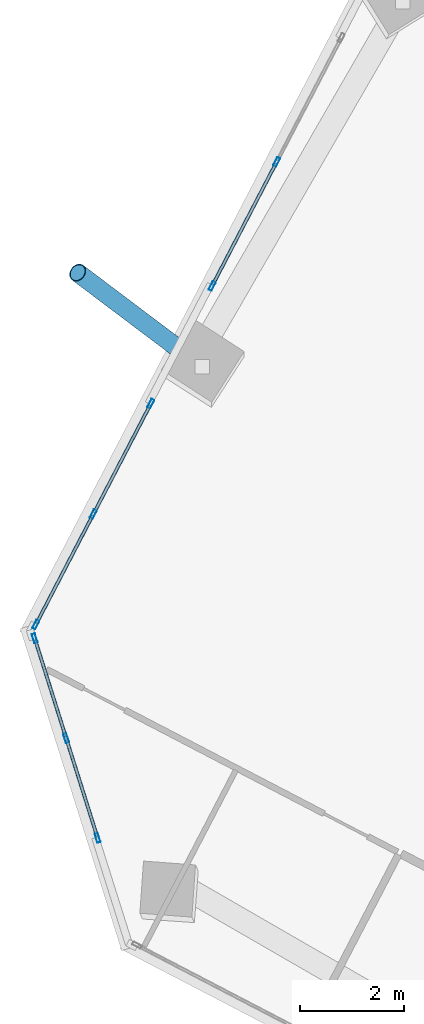
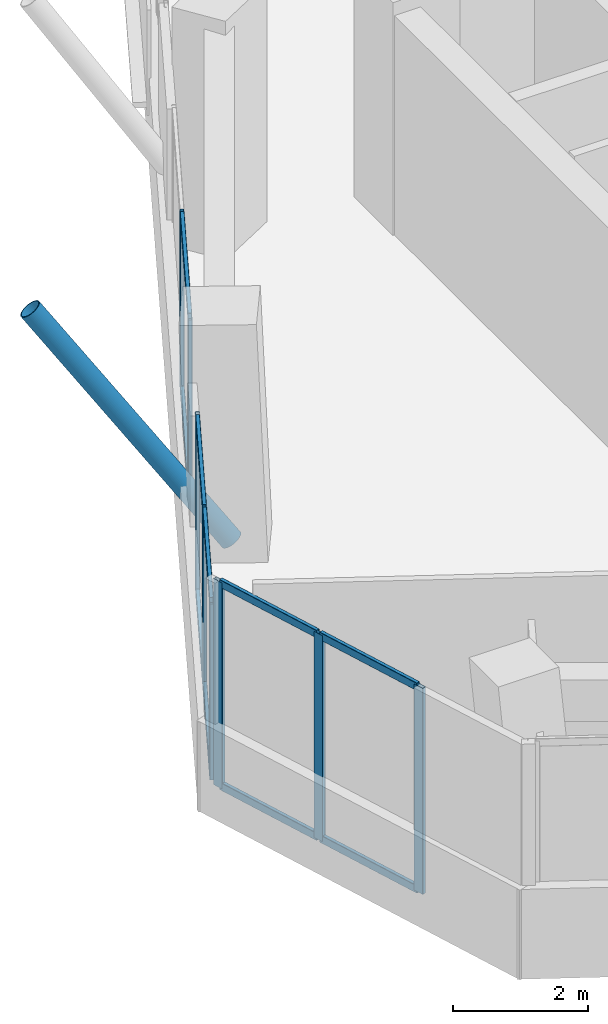
# One storey, part 5 of 22: 19 members, 3 elements without a shape of their own.
"""IFC4 building model written with IfcOpenShell, lengths in metres."""

from ifc_helpers import new_model, si_unit, direction, frame, origin, origin_2d, place, context, subcontext, project, spatial, hollow_rectangle, hollow_circle, extrude, source, transform, mapped, material, material_profile, profile_set, type_object, element, aggregate, save


model = new_model("IFC4")

# Units and contexts
model_context = context("Model", 3, precision=1e-05, world=origin(), true_north=direction((0.0, 1.0)))
body_context = subcontext(model_context, "Body", "Model", "MODEL_VIEW")
ifc_project = project(units=[si_unit("LENGTHUNIT", "METRE"), si_unit("AREAUNIT", "SQUARE_METRE"), si_unit("VOLUMEUNIT", "CUBIC_METRE"), si_unit("PLANEANGLEUNIT", "RADIAN"), si_unit("MASSUNIT", "GRAM", prefix="KILO")], contexts=[model_context])

# Site, building, storey
site_placement = place(None, origin())
site = spatial("IfcSite", under=ifc_project, at=site_placement, CompositionType="ELEMENT")
building_placement = place(site_placement, origin())
building = spatial("IfcBuilding", under=site, at=building_placement, Name="Torre Montelarca", CompositionType="ELEMENT")
storey_placement = place(building_placement, frame((0.0, 0.0, 175.0)))
storey = spatial("IfcBuildingStorey", under=building, at=storey_placement, Name="L39", CompositionType="ELEMENT", Elevation=175.0)

# Member
ifc_material_1 = material(Name="Steel ASTM A500 Grade C", Category="steel")
ifc_material_profile_1 = material_profile(ifc_material_1, hollow_circle(Radius=0.177734375, WallThickness=0.015869140625, at=origin_2d()), Name="HSS355.6X15.9", Category="steel")
ifc_profile_set_1 = profile_set([ifc_material_profile_1], Name="Steel ASTM A500 Grade C")
member_type_1 = type_object("IfcMemberType", Name="MB-BR-CHS356-EXT", PredefinedType="BRACE", material=ifc_profile_set_1)
shared_shape_1 = source(origin(), body_context, "Body", "SweptSolid", [
    extrude(hollow_circle(Radius=0.177734375, WallThickness=0.015869140625, at=origin_2d()), origin(), (0.0, 0.0, 1.0), 4.928955078125),
])
member_1_placement = place(storey_placement, frame((2.879150390625, 33.0908203125, 0.14990234375), z_axis=(-0.486213709602, 0.366393929291, 0.793316908413), x_axis=(-0.601820910097, -0.798631073882, 0.0)))
element("IfcMember", 1, at=member_1_placement, inside=storey, type_object=member_type_1, Name="L40 Sliding Tray Exterior Diagonal Raker Strut W1", PredefinedType="BRACE", context=body_context, shape_type="MappedRepresentation", body=[
    mapped(shared_shape_1, transform((0.0, 0.0, 0.0), scale=1.0)),
])

# Curtain wall, members
ifc_material_2 = material(Name="Insulated low-E laminated glass", Category="glass")
curtain_wall_type = type_object("IfcCurtainWallType", Name="CW-SYS-Z2", PredefinedType="USERDEFINED", material=ifc_material_2)
curtain_wall_1_placement = place(storey_placement, origin())
curtain_wall_1 = element("IfcCurtainWall", 2, at=curtain_wall_1_placement, inside=storey, type_object=curtain_wall_type, Name="L39 Curtain Wall Run CW-T3-L39-E11-B1", ObjectType="UNITISED GLAZING", PredefinedType="USERDEFINED")
ifc_material_3 = material(Name="Anodised aluminium AA 6063-T6", Category="aluminium")
ifc_material_profile_2 = material_profile(ifc_material_3, hollow_rectangle(XDim=0.06494140625, YDim=0.179931640625, WallThickness=0.00390625, InnerFilletRadius=0.00390625, OuterFilletRadius=0.008056640625, at=origin_2d()), Name="ALU65X180X4", Category="aluminium")
ifc_profile_set_2 = profile_set([ifc_material_profile_2], Name="Anodised aluminium AA 6063-T6")
member_type_2 = type_object("IfcMemberType", Name="CWM-ALU180", PredefinedType="MULLION", material=ifc_profile_set_2)
shared_shape_2 = source(origin(), body_context, "Body", "SweptSolid", [
    extrude(hollow_rectangle(XDim=0.06494140625, YDim=0.179931640625, WallThickness=0.00390625, InnerFilletRadius=0.00390625, OuterFilletRadius=0.008056640625, at=origin_2d()), origin(), (0.0, 0.0, 1.0), 3.719970703125),
])
member_2_placement = place(storey_placement, frame((-0.34228515625, 27.870849609375, 0.0), z_axis=(0.0, 0.0, 1.0), x_axis=(0.953724568689, 0.300681637415, 0.0)))
member_2 = element("IfcMember", 3, at=member_2_placement, type_object=member_type_2, Name="CW mullion 1", PredefinedType="MULLION", context=body_context, shape_type="MappedRepresentation", body=[
    mapped(shared_shape_2, transform((0.0, 0.0, 0.0), scale=1.0)),
])
member_3_placement = place(storey_placement, frame((0.26220703125, 25.952880859375, 0.0), z_axis=(0.0, 0.0, 1.0), x_axis=(0.953724568689, 0.300681637415, 0.0)))
member_3 = element("IfcMember", 4, at=member_3_placement, type_object=member_type_2, Name="CW mullion 2", PredefinedType="MULLION", context=body_context, shape_type="MappedRepresentation", body=[
    mapped(shared_shape_2, transform((0.0, 0.0, 0.0), scale=1.0)),
])
member_4_placement = place(storey_placement, frame((0.866943359375, 24.03515625, 0.0), z_axis=(0.0, 0.0, 1.0), x_axis=(0.953724568689, 0.300681637415, 0.0)))
member_4 = element("IfcMember", 5, at=member_4_placement, type_object=member_type_2, Name="CW mullion 3", PredefinedType="MULLION", context=body_context, shape_type="MappedRepresentation", body=[
    mapped(shared_shape_2, transform((0.0, 0.0, 0.0), scale=1.0)),
])

curtain_wall_2_placement = place(storey_placement, origin())
curtain_wall_2 = element("IfcCurtainWall", 6, at=curtain_wall_2_placement, inside=storey, type_object=curtain_wall_type, Name="L39 Curtain Wall Run CW-T3-L39-E10-B2", ObjectType="UNITISED GLAZING", PredefinedType="USERDEFINED")
shared_shape_3 = source(origin(), body_context, "Body", "SweptSolid", [
    extrude(hollow_rectangle(XDim=0.06494140625, YDim=0.179931640625, WallThickness=0.00390625, InnerFilletRadius=0.00390625, OuterFilletRadius=0.008056640625, at=origin_2d()), origin(), (0.0, 0.0, 1.0), 3.175048828125),
])
member_5_placement = place(storey_placement, frame((4.30712890625, 37.02392578125, 0.0), z_axis=(0.0, 0.0, 1.0), x_axis=(0.887014164373, -0.461742214013, 0.0)))
member_5 = element("IfcMember", 7, at=member_5_placement, type_object=member_type_2, Name="CW mullion 2", PredefinedType="MULLION", context=body_context, shape_type="MappedRepresentation", body=[
    mapped(shared_shape_3, transform((0.0, 0.0, 0.0), scale=1.0)),
])
member_6_placement = place(storey_placement, frame((3.06640625, 34.64013671875, 0.0), z_axis=(0.0, 0.0, 1.0), x_axis=(0.887014164373, -0.461742214013, 0.0)))
member_6 = element("IfcMember", 8, at=member_6_placement, type_object=member_type_2, Name="CW mullion 3", PredefinedType="MULLION", context=body_context, shape_type="MappedRepresentation", body=[
    mapped(shared_shape_3, transform((0.0, 0.0, 0.0), scale=1.0)),
])

curtain_wall_3_placement = place(storey_placement, origin())
curtain_wall_3 = element("IfcCurtainWall", 9, at=curtain_wall_3_placement, inside=storey, type_object=curtain_wall_type, Name="L39 Curtain Wall Run CW-T3-L39-E10-B3", ObjectType="UNITISED GLAZING", PredefinedType="USERDEFINED")
member_7_placement = place(storey_placement, frame((1.8896484375, 32.3798828125, 0.0), z_axis=(0.0, 0.0, 1.0), x_axis=(0.887015459793, -0.461739725483, 0.0)))
member_7 = element("IfcMember", 10, at=member_7_placement, type_object=member_type_2, Name="CW mullion 1", PredefinedType="MULLION", context=body_context, shape_type="MappedRepresentation", body=[
    mapped(shared_shape_3, transform((0.0, 0.0, 0.0), scale=1.0)),
])
member_8_placement = place(storey_placement, frame((0.785400390625, 30.25830078125, 0.0), z_axis=(0.0, 0.0, 1.0), x_axis=(0.887015459793, -0.461739725483, 0.0)))
member_8 = element("IfcMember", 11, at=member_8_placement, type_object=member_type_2, Name="CW mullion 2", PredefinedType="MULLION", context=body_context, shape_type="MappedRepresentation", body=[
    mapped(shared_shape_3, transform((0.0, 0.0, 0.0), scale=1.0)),
])
member_9_placement = place(storey_placement, frame((-0.319091796875, 28.13671875, 0.0), z_axis=(0.0, 0.0, 1.0), x_axis=(0.887015459793, -0.461739725483, 0.0)))
member_9 = element("IfcMember", 12, at=member_9_placement, type_object=member_type_2, Name="CW mullion 3", PredefinedType="MULLION", context=body_context, shape_type="MappedRepresentation", body=[
    mapped(shared_shape_3, transform((0.0, 0.0, 0.0), scale=1.0)),
])

# Member
ifc_material_profile_3 = material_profile(ifc_material_3, hollow_rectangle(XDim=0.06494140625, YDim=0.139892578125, WallThickness=0.00390625, InnerFilletRadius=0.00390625, OuterFilletRadius=0.008056640625, at=origin_2d()), Name="ALU65X140X4", Category="aluminium")
ifc_profile_set_3 = profile_set([ifc_material_profile_3], Name="Anodised aluminium AA 6063-T6")
member_type_3 = type_object("IfcMemberType", Name="CWT-ALU140", PredefinedType="USERDEFINED", material=ifc_profile_set_3)
shared_shape_4 = source(origin(), body_context, "Body", "SweptSolid", [
    extrude(hollow_rectangle(XDim=0.06494140625, YDim=0.139892578125, WallThickness=0.00390625, InnerFilletRadius=0.00390625, OuterFilletRadius=0.008056640625, at=origin_2d()), origin(), (0.0, 0.0, 1.0), 2.62255859375),
])
member_10_placement = place(storey_placement, frame((4.292236328125, 36.9951171875, 0.032470703125), z_axis=(-0.461751333764, -0.887009416955, 0.0), x_axis=(0.887009416955, -0.461751333764, 0.0)))
member_10 = element("IfcMember", 13, at=member_10_placement, type_object=member_type_3, Name="CW transom 2.1", ObjectType="TRANSOM", PredefinedType="USERDEFINED", context=body_context, shape_type="MappedRepresentation", body=[
    mapped(shared_shape_4, transform((0.0, 0.0, 0.0), scale=1.0)),
])

member_11_placement = place(storey_placement, frame((4.292236328125, 36.9951171875, 3.142578125), z_axis=(-0.461751333764, -0.887009416955, 0.0), x_axis=(0.887009416955, -0.461751333764, 0.0)))
member_11 = element("IfcMember", 14, at=member_11_placement, type_object=member_type_3, Name="CW transom 2.2", ObjectType="TRANSOM", PredefinedType="USERDEFINED", context=body_context, shape_type="MappedRepresentation", body=[
    mapped(shared_shape_4, transform((0.0, 0.0, 0.0), scale=1.0)),
])

aggregate(curtain_wall_2, [member_5, member_6, member_10, member_11])

shared_shape_5 = source(origin(), body_context, "Body", "SweptSolid", [
    extrude(hollow_rectangle(XDim=0.06494140625, YDim=0.139892578125, WallThickness=0.00390625, InnerFilletRadius=0.00390625, OuterFilletRadius=0.008056640625, at=origin_2d()), origin(), (0.0, 0.0, 1.0), 2.326904296875),
])
member_12_placement = place(storey_placement, frame((1.874755859375, 32.35107421875, 0.032470703125), z_axis=(-0.461759027383, -0.887005411838, 0.0), x_axis=(0.887005411838, -0.461759027383, 0.0)))
member_12 = element("IfcMember", 15, at=member_12_placement, type_object=member_type_3, Name="CW transom 1.1", ObjectType="TRANSOM", PredefinedType="USERDEFINED", context=body_context, shape_type="MappedRepresentation", body=[
    mapped(shared_shape_5, transform((0.0, 0.0, 0.0), scale=1.0)),
])

member_13_placement = place(storey_placement, frame((1.874755859375, 32.35107421875, 3.142578125), z_axis=(-0.461759027383, -0.887005411838, 0.0), x_axis=(0.887005411838, -0.461759027383, 0.0)))
member_13 = element("IfcMember", 16, at=member_13_placement, type_object=member_type_3, Name="CW transom 1.2", ObjectType="TRANSOM", PredefinedType="USERDEFINED", context=body_context, shape_type="MappedRepresentation", body=[
    mapped(shared_shape_5, transform((0.0, 0.0, 0.0), scale=1.0)),
])

member_14_placement = place(storey_placement, frame((0.770263671875, 30.2294921875, 0.032470703125), z_axis=(-0.461759027383, -0.887005411838, 0.0), x_axis=(0.887005411838, -0.461759027383, 0.0)))
member_14 = element("IfcMember", 17, at=member_14_placement, type_object=member_type_3, Name="CW transom 2.1", ObjectType="TRANSOM", PredefinedType="USERDEFINED", context=body_context, shape_type="MappedRepresentation", body=[
    mapped(shared_shape_5, transform((0.0, 0.0, 0.0), scale=1.0)),
])

member_15_placement = place(storey_placement, frame((0.770263671875, 30.2294921875, 3.142578125), z_axis=(-0.461759027383, -0.887005411838, 0.0), x_axis=(0.887005411838, -0.461759027383, 0.0)))
member_15 = element("IfcMember", 18, at=member_15_placement, type_object=member_type_3, Name="CW transom 2.2", ObjectType="TRANSOM", PredefinedType="USERDEFINED", context=body_context, shape_type="MappedRepresentation", body=[
    mapped(shared_shape_5, transform((0.0, 0.0, 0.0), scale=1.0)),
])

aggregate(curtain_wall_3, [member_7, member_8, member_9, member_12, member_13, member_14, member_15])

shared_shape_6 = source(origin(), body_context, "Body", "SweptSolid", [
    extrude(hollow_rectangle(XDim=0.06494140625, YDim=0.139892578125, WallThickness=0.00390625, InnerFilletRadius=0.00390625, OuterFilletRadius=0.008056640625, at=origin_2d()), origin(), (0.0, 0.0, 1.0), 1.946044921875),
])
member_16_placement = place(storey_placement, frame((-0.33251953125, 27.83984375, 0.032470703125), z_axis=(0.300602934654, -0.953749377812, 0.0), x_axis=(0.953749377812, 0.300602934654, 0.0)))
member_16 = element("IfcMember", 19, at=member_16_placement, type_object=member_type_3, Name="CW transom 1.1", ObjectType="TRANSOM", PredefinedType="USERDEFINED", context=body_context, shape_type="MappedRepresentation", body=[
    mapped(shared_shape_6, transform((0.0, 0.0, 0.0), scale=1.0)),
])

member_17_placement = place(storey_placement, frame((-0.33251953125, 27.83984375, 3.6875), z_axis=(0.300602934654, -0.953749377812, 0.0), x_axis=(0.953749377812, 0.300602934654, 0.0)))
member_17 = element("IfcMember", 20, at=member_17_placement, type_object=member_type_3, Name="CW transom 1.2", ObjectType="TRANSOM", PredefinedType="USERDEFINED", context=body_context, shape_type="MappedRepresentation", body=[
    mapped(shared_shape_6, transform((0.0, 0.0, 0.0), scale=1.0)),
])

member_18_placement = place(storey_placement, frame((0.27197265625, 25.922119140625, 0.032470703125), z_axis=(0.300717051659, -0.953713402884, 0.0), x_axis=(0.953713402884, 0.300717051659, 0.0)))
member_18 = element("IfcMember", 21, at=member_18_placement, type_object=member_type_3, Name="CW transom 2.1", ObjectType="TRANSOM", PredefinedType="USERDEFINED", context=body_context, shape_type="MappedRepresentation", body=[
    mapped(shared_shape_6, transform((0.0, 0.0, 0.0), scale=1.0)),
])

member_19_placement = place(storey_placement, frame((0.27197265625, 25.922119140625, 3.6875), z_axis=(0.300717051659, -0.953713402884, 0.0), x_axis=(0.953713402884, 0.300717051659, 0.0)))
member_19 = element("IfcMember", 22, at=member_19_placement, type_object=member_type_3, Name="CW transom 2.2", ObjectType="TRANSOM", PredefinedType="USERDEFINED", context=body_context, shape_type="MappedRepresentation", body=[
    mapped(shared_shape_6, transform((0.0, 0.0, 0.0), scale=1.0)),
])

aggregate(curtain_wall_1, [member_2, member_3, member_4, member_16, member_17, member_18, member_19])

save(model, "model.ifc")
